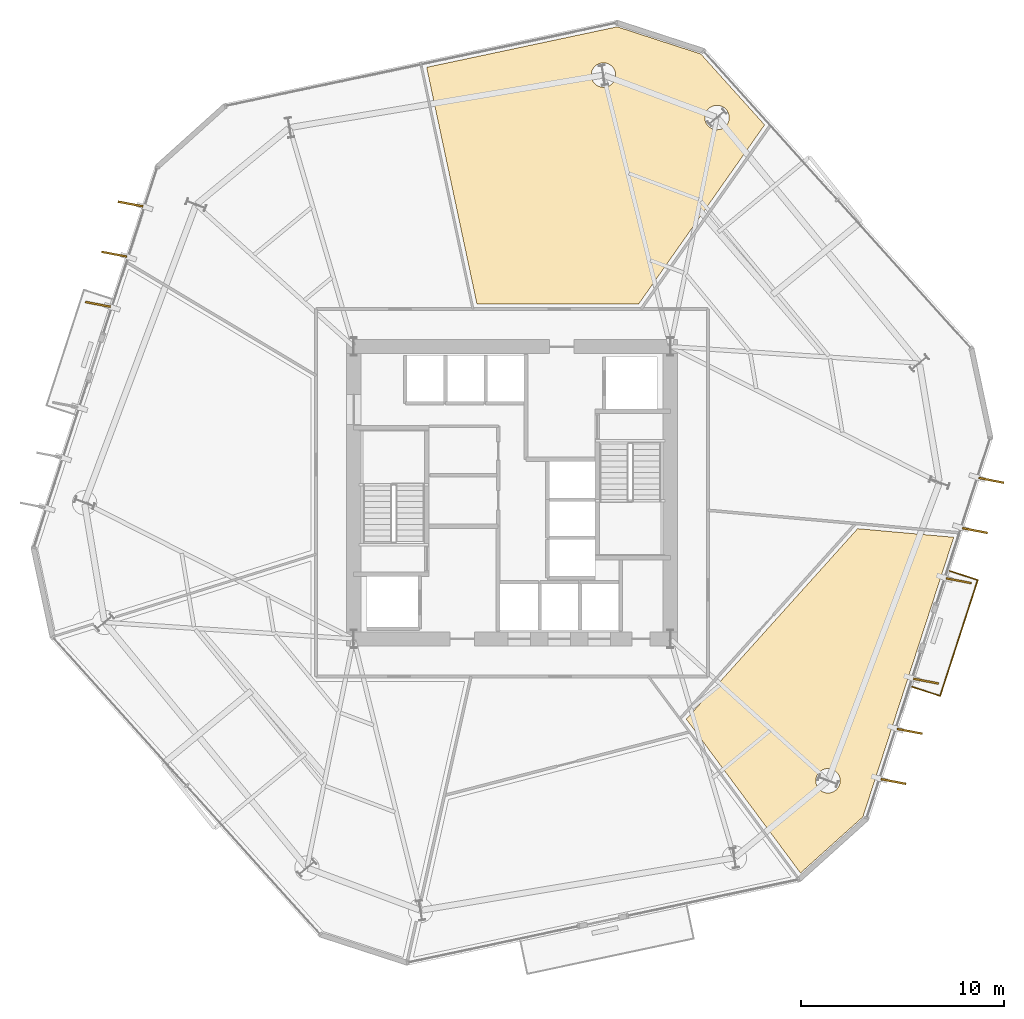
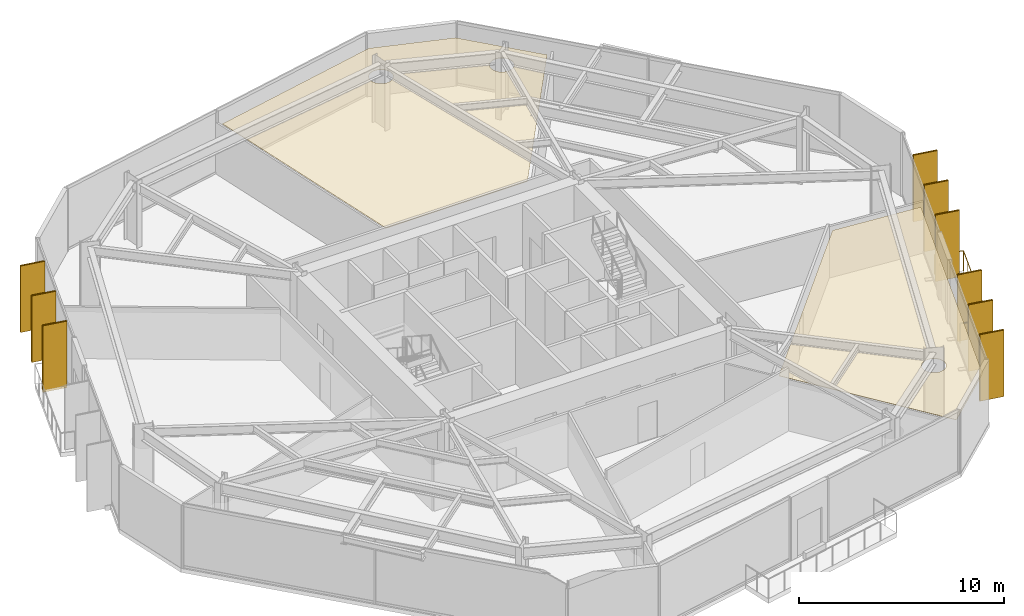
# One storey, part 10 of 10: 11 coverings, 9 shading devices, 1 railing.
"""IFC4 building model written with IfcOpenShell, lengths in metres."""

import ifcopenshell
import ifcopenshell.guid

model = None  # the IFC model being written
_history = None  # IfcOwnerHistory: only IFC2X3 demands one
_inside = {}  # id of a spatial element -> (the spatial element, [elements in it])
_under = {}  # id of a project, library or spatial element -> (it, [spatial elements below it])
_declared = {}  # id of a project -> (the project, [libraries it declares])
_typed = {}  # id of a type object -> (the type object, [elements of that type])
_made_of = {}  # id of a material, layer set ... -> (it, [elements and type objects made of it])


def new_model(schema):
    """Start an empty IFC model of exactly this schema.

    Asked for "IFC4X3", IfcOpenShell would pick the latest addendum, in which some entities
    have other attributes; the version numbers below select the first issue.
    IFC2X3 requires an IfcOwnerHistory on every rooted entity: one is made here for all.
    """
    global model, _history
    if schema == "IFC4X3":
        model = ifcopenshell.file(schema_version=(4, 3, 0, 0))
    else:
        model = ifcopenshell.file(schema=schema)
    _inside.clear()
    _under.clear()
    _declared.clear()
    _typed.clear()
    _made_of.clear()
    _history = None
    if model.schema == "IFC2X3":
        org = make("IfcOrganization", Name="unknown")
        user = make(
            "IfcPersonAndOrganization",
            ThePerson=make("IfcPerson", FamilyName="unknown"),
            TheOrganization=org,
        )
        app = make(
            "IfcApplication",
            ApplicationDeveloper=org,
            Version="unknown",
            ApplicationFullName="unknown",
            ApplicationIdentifier="unknown",
        )
        _history = make(
            "IfcOwnerHistory",
            OwningUser=user,
            OwningApplication=app,
            ChangeAction="ADDED",
            CreationDate=0,
        )
    return model


def make(cls, **values):
    """One entity of the class cls with the attributes given. An attribute that is None is left unset."""
    return model.create_entity(
        cls, **{name: value for name, value in values.items() if value is not None}
    )


def rooted(cls, **values):
    """An entity with a GlobalId (a new one), such as an element, a storey or a relation."""
    return make(cls, GlobalId=ifcopenshell.guid.new(), OwnerHistory=_history, **values)


def si_unit(unit_type, name, prefix=None):
    """IfcSIUnit, for example si_unit("LENGTHUNIT", "METRE", prefix="MILLI")."""
    return make("IfcSIUnit", UnitType=unit_type, Prefix=prefix, Name=name)


def assignment(units):
    """IfcUnitAssignment: the units of a project."""
    return None if units is None else make("IfcUnitAssignment", Units=units)


def point(xyz):
    """IfcCartesianPoint."""
    return None if xyz is None else make("IfcCartesianPoint", Coordinates=xyz)


def direction(xyz):
    """IfcDirection."""
    return None if xyz is None else make("IfcDirection", DirectionRatios=xyz)


def frame(location, z_axis=None, x_axis=None):
    """IfcAxis2Placement3D, a coordinate frame: its origin and axes. An axis left out is left unset."""
    return make(
        "IfcAxis2Placement3D",
        Location=point(location),
        Axis=direction(z_axis),
        RefDirection=direction(x_axis),
    )


def frame_2d(location, x_axis=None):
    """IfcAxis2Placement2D, a coordinate frame in the plane: its origin and x axis."""
    return make(
        "IfcAxis2Placement2D", Location=point(location), RefDirection=direction(x_axis)
    )


def origin():
    """The frame at (0, 0, 0) with its axes left unset."""
    return frame((0.0, 0.0, 0.0))


def origin_2d():
    """The frame at (0, 0) in the plane with its x axis left unset."""
    return frame_2d((0.0, 0.0))


def place(relative_to, where):
    """IfcLocalPlacement: puts the frame where relative to a parent placement (None: the world)."""
    return make(
        "IfcLocalPlacement", PlacementRelTo=relative_to, RelativePlacement=where
    )


def context(
    kind, dimensions, precision=None, world=None, true_north=None, identifier=None
):
    """IfcGeometricRepresentationContext, for example the 3D "Model" context."""
    return make(
        "IfcGeometricRepresentationContext",
        ContextIdentifier=identifier,
        ContextType=kind,
        CoordinateSpaceDimension=dimensions,
        Precision=precision,
        WorldCoordinateSystem=world,
        TrueNorth=true_north,
    )


def subcontext(parent, identifier, kind, view, scale=None):
    """IfcGeometricRepresentationSubContext, for example "Body" below "Model"."""
    return make(
        "IfcGeometricRepresentationSubContext",
        ContextIdentifier=identifier,
        ContextType=kind,
        ParentContext=parent,
        TargetScale=scale,
        TargetView=view,
    )


def project(units=None, contexts=None):
    """IfcProject with its units and contexts."""
    return rooted(
        "IfcProject",
        Name="project",
        RepresentationContexts=contexts,
        UnitsInContext=assignment(units),
    )


def spatial(cls, under=None, at=None, **own):
    """A site, building, storey or space (cls), placed at a placement, below another one or the project."""
    s = rooted(cls, ObjectPlacement=at, **own)
    if under is not None:
        _under.setdefault(under.id(), (under, []))[1].append(s)
    return s


def polyline(points):
    """IfcPolyline through the points."""
    return make("IfcPolyline", Points=[point(p) for p in points])


def profile(cls, at=None, kind="AREA", **sizes):
    """A parametric profile (cls). Its sizes go by their IFC names, for example OverallWidth=200.0."""
    return make(cls, ProfileType=kind, Position=at, **sizes)


def rectangle(**sizes):
    """IfcRectangleProfileDef."""
    return profile("IfcRectangleProfileDef", **sizes)


def circle(**sizes):
    """IfcCircleProfileDef."""
    return profile("IfcCircleProfileDef", **sizes)


def outline(outer, holes=None, kind="AREA"):
    """IfcArbitraryClosedProfileDef: a profile drawn as a closed curve; with holes, ...WithVoids."""
    if holes is None:
        return make("IfcArbitraryClosedProfileDef", ProfileType=kind, OuterCurve=outer)
    return make(
        "IfcArbitraryProfileDefWithVoids",
        ProfileType=kind,
        OuterCurve=outer,
        InnerCurves=holes,
    )


def extrude(swept, where, along, depth):
    """IfcExtrudedAreaSolid: the profile swept, set in the frame where, extruded along a direction by depth."""
    return make(
        "IfcExtrudedAreaSolid",
        SweptArea=swept,
        Position=where,
        ExtrudedDirection=direction(along),
        Depth=depth,
    )


def shape(context_of_items, identifier, shape_type, items):
    """IfcShapeRepresentation: the items that make up one representation, for example the "Body"."""
    return make(
        "IfcShapeRepresentation",
        ContextOfItems=context_of_items,
        RepresentationIdentifier=identifier,
        RepresentationType=shape_type,
        Items=items,
    )


def material(Name=None, Category=None):
    """IfcMaterial."""
    return make("IfcMaterial", Name=Name, Category=Category)


def layer(
    of_material, thickness, ventilated=None, Name=None, Category=None, Priority=None
):
    """IfcMaterialLayer: one layer of a wall or slab, of a material (None: an air gap)."""
    return make(
        "IfcMaterialLayer",
        Material=of_material,
        LayerThickness=thickness,
        IsVentilated=ventilated,
        Name=Name,
        Category=Category,
        Priority=Priority,
    )


def layer_set(layers, Name=None):
    """IfcMaterialLayerSet."""
    return make("IfcMaterialLayerSet", MaterialLayers=layers, LayerSetName=Name)


def made_of(thing, what):
    """Note that an element or type object is made of a material, layer set ...; save() writes the relation."""
    if what is not None:
        _made_of.setdefault(what.id(), (what, []))[1].append(thing)
    return thing


def type_object(cls, material=None, **own):
    """A type object (cls), such as IfcWallType, which elements share."""
    return made_of(rooted(cls, **own), material)


def element(
    cls,
    number,
    at=None,
    inside=None,
    cuts=None,
    type_object=None,
    material=None,
    context=None,
    identifier="Body",
    shape_type=None,
    held_by="IfcProductDefinitionShape",
    body=None,
    shapes=None,
    **own,
):
    """One element of the class cls, such as IfcWall. Its Tag is "e" and its number.

    at: its placement. inside: the storey or other place that contains it. cuts: it is an
    opening in that element (IfcRelVoidsElement). A single representation is given by context,
    identifier, shape_type and body (its items); several are given by shapes. held_by: the class
    of the entity that holds the representations. save() writes the other relations.
    """
    e = rooted(cls, Tag="e%d" % number, ObjectPlacement=at, **own)
    if body is not None:
        shapes = [shape(context, identifier, shape_type, body)]
    if shapes is not None:
        e.Representation = make(held_by, Representations=shapes)
    if inside is not None:
        _inside.setdefault(inside.id(), (inside, []))[1].append(e)
    if cuts is not None:
        rooted(
            "IfcRelVoidsElement", RelatingBuildingElement=cuts, RelatedOpeningElement=e
        )
    if type_object is not None:
        _typed.setdefault(type_object.id(), (type_object, []))[1].append(e)
    return made_of(e, material)


def aggregate(whole, parts):
    """IfcRelAggregates: a whole, such as a stair, and the parts it consists of."""
    return rooted("IfcRelAggregates", RelatingObject=whole, RelatedObjects=parts)


def save(model, path):
    """Write the relations noted so far, then the file.

    IfcRelAggregates (storeys below a building ...), IfcRelContainedInSpatialStructure (elements
    in a storey), IfcRelDefinesByType, IfcRelAssociatesMaterial and IfcRelDeclares: one each for
    every whole, place, type object, material and project.
    """
    for whole, parts in _under.values():
        aggregate(whole, parts)
    for where, things in _inside.values():
        rooted(
            "IfcRelContainedInSpatialStructure",
            RelatedElements=things,
            RelatingStructure=where,
        )
    for kind, things in _typed.values():
        rooted("IfcRelDefinesByType", RelatedObjects=things, RelatingType=kind)
    for what, things in _made_of.values():
        rooted("IfcRelAssociatesMaterial", RelatedObjects=things, RelatingMaterial=what)
    for by, libraries in _declared.values():
        rooted("IfcRelDeclares", RelatingContext=by, RelatedDefinitions=libraries)
    model.write(path)


model = new_model("IFC4")

# Units and contexts
model_context = context("Model", 3, precision=1e-05, world=origin(), true_north=direction((0.0, 1.0)))
body_context = subcontext(model_context, "Body", "Model", "MODEL_VIEW")
ifc_project = project(units=[si_unit("LENGTHUNIT", "METRE"), si_unit("AREAUNIT", "SQUARE_METRE"), si_unit("VOLUMEUNIT", "CUBIC_METRE"), si_unit("PLANEANGLEUNIT", "RADIAN"), si_unit("MASSUNIT", "GRAM", prefix="KILO")], contexts=[model_context])

# Site, building, storey
site_placement = place(None, origin())
site = spatial("IfcSite", under=ifc_project, at=site_placement, CompositionType="ELEMENT")
building_placement = place(site_placement, origin())
building = spatial("IfcBuilding", under=site, at=building_placement, Name="Kranzbogen Civic Tower", CompositionType="ELEMENT")
storey_placement = place(building_placement, frame((0.0, 0.0, 68.0)))
storey = spatial("IfcBuildingStorey", under=building, at=storey_placement, Name="L16", CompositionType="ELEMENT", Elevation=68.0)

# Coverings
ifc_material_1 = material(Name="Pale Anodised Aluminium", Category="aluminium")
ifc_layer_1 = layer(ifc_material_1, 0.02490234375, Name="Pale Anodised Aluminium")
ifc_layer_set_1 = layer_set([ifc_layer_1], Name="Pale Anodised Aluminium")
covering_type_1 = type_object("IfcCoveringType", Name="Anodised Aluminium Vertical Fin Cladding 25 mm", PredefinedType="CLADDING", material=ifc_layer_set_1)
for number, where, z_axis, x_axis, name in (
    (1, (6.2060546875, 39.22509765625, -0.139892578125), (0.0, 0.0, 1.0), (-0.982395011686, 0.186815526695, 0.0), "L16 vertical fin pale-metal cladding F3-1"),
    (2, (5.403076171875, 36.751953125, -0.139892578125), (0.0, 0.0, 1.0), (-0.982395011686, 0.186815526695, 0.0), "L16 vertical fin pale-metal cladding F3-2"),
    (3, (4.59912109375, 34.280029296875, -0.139892578125), (0.0, 0.0, 1.0), (-0.982395011686, 0.186815526695, 0.0), "L16 vertical fin pale-metal cladding F3-3"),
    (4, (43.7939453125, 10.77490234375, -0.139892578125), (0.0, 0.0, 1.0), (0.982395011686, -0.186815526695, 0.0), "L16 vertical fin pale-metal cladding F6-1"),
    (5, (44.596923828125, 13.248046875, -0.139892578125), (0.0, 0.0, 1.0), (0.982395011686, -0.186815526695, 0.0), "L16 vertical fin pale-metal cladding F6-2"),
    (6, (45.40087890625, 15.719970703125, -0.139892578125), (0.0, 0.0, 1.0), (0.982395011686, -0.186815526695, 0.0), "L16 vertical fin pale-metal cladding F6-3"),
    (7, (47.008056640625, 20.666015625, -0.139892578125), (0.0, 0.0, 1.0), (0.982395011686, -0.186815526695, 0.0), "L16 vertical fin pale-metal cladding F6-5"),
    (8, (47.81103515625, 23.138916015625, -0.139892578125), (0.0, 0.0, 1.0), (0.982395011686, -0.186815526695, 0.0), "L16 vertical fin pale-metal cladding F6-6"),
    (9, (48.614990234375, 25.611083984375, -0.139892578125), (0.0, 0.0, 1.0), (0.982395011686, -0.186815526695, 0.0), "L16 vertical fin pale-metal cladding F6-7"),
):
    element("IfcCovering", number, at=place(storey_placement, frame(where, z_axis=z_axis, x_axis=x_axis)), inside=storey, type_object=covering_type_1, Name=name, PredefinedType="CLADDING", context=body_context, shape_type="SweptSolid", body=[
        extrude(rectangle(XDim=1.25, YDim=0.10009765625, at=origin_2d()), origin(), (0.0, 0.0, 1.0), 3.9599609375),
    ])

# Shading devices
ifc_material_2 = material(Name="Anodised Bronze Aluminium", Category="aluminium")
shading_device_type = type_object("IfcShadingDeviceType", Name="Anodised Bronze Vertical Facade Fin 1250x80", PredefinedType="USERDEFINED", material=ifc_material_2)
for number, where, z_axis, x_axis, name in (
    (10, (6.2060546875, 39.22509765625, -0.139892578125), (0.0, 0.0, 1.0), (-0.982395011686, 0.186815526695, 0.0), "L16 vertical exterior shading fin F3-1"),
    (11, (5.403076171875, 36.751953125, -0.139892578125), (0.0, 0.0, 1.0), (-0.982395011686, 0.186815526695, 0.0), "L16 vertical exterior shading fin F3-2"),
    (12, (4.59912109375, 34.280029296875, -0.139892578125), (0.0, 0.0, 1.0), (-0.982395011686, 0.186815526695, 0.0), "L16 vertical exterior shading fin F3-3"),
    (13, (43.7939453125, 10.77490234375, -0.139892578125), (0.0, 0.0, 1.0), (0.982395011686, -0.186815526695, 0.0), "L16 vertical exterior shading fin F6-1"),
    (14, (44.596923828125, 13.248046875, -0.139892578125), (0.0, 0.0, 1.0), (0.982395011686, -0.186815526695, 0.0), "L16 vertical exterior shading fin F6-2"),
    (15, (45.40087890625, 15.719970703125, -0.139892578125), (0.0, 0.0, 1.0), (0.982395011686, -0.186815526695, 0.0), "L16 vertical exterior shading fin F6-3"),
    (16, (47.008056640625, 20.666015625, -0.139892578125), (0.0, 0.0, 1.0), (0.982395011686, -0.186815526695, 0.0), "L16 vertical exterior shading fin F6-5"),
    (17, (47.81103515625, 23.138916015625, -0.139892578125), (0.0, 0.0, 1.0), (0.982395011686, -0.186815526695, 0.0), "L16 vertical exterior shading fin F6-6"),
    (18, (48.614990234375, 25.611083984375, -0.139892578125), (0.0, 0.0, 1.0), (0.982395011686, -0.186815526695, 0.0), "L16 vertical exterior shading fin F6-7"),
):
    element("IfcShadingDevice", number, at=place(storey_placement, frame(where, z_axis=z_axis, x_axis=x_axis)), inside=storey, type_object=shading_device_type, Name=name, ObjectType="FIN", PredefinedType="USERDEFINED", context=body_context, shape_type="SweptSolid", body=[
        extrude(rectangle(XDim=1.25, YDim=0.080078125, at=origin_2d()), origin(), (0.0, 0.0, 1.0), 3.9599609375),
    ])

# Railing
railing_type = type_object("IfcRailingType", Name="Cantilevered Balcony Glass and Bronze Balustrade 1200", PredefinedType="BALUSTRADE", material=ifc_material_2)
railing_placement = place(storey_placement, frame((44.7109375, 15.44091796875, 0.0)))
element("IfcRailing", 19, at=railing_placement, inside=storey, type_object=railing_type, Name="L16 exterior terrace balustrade L16-TB2", PredefinedType="BALUSTRADE", context=body_context, shape_type="SweptSolid", body=[
    extrude(circle(Radius=0.02392578125, at=origin_2d()), frame((0.0, 0.0, 1.17578125), z_axis=(0.951079836914, -0.308945211672, 0.0), x_axis=(0.308945211672, 0.951079836914, 0.0)), (0.0, 0.0, 1.0), 1.4501953125),
    extrude(circle(Radius=0.02392578125, at=origin_2d()), frame((1.379150390625, -0.447998046875, 1.17578125), z_axis=(0.308968313309, 0.951072332355, 0.0), x_axis=(-0.951072332355, 0.308968313309, 0.0)), (0.0, 0.0, 1.0), 6.000732421875),
    extrude(circle(Radius=0.02392578125, at=origin_2d()), frame((3.233154296875, 5.259033203125, 1.17578125), z_axis=(-0.951079836914, 0.308945211672, 0.0), x_axis=(-0.308945211672, -0.951079836914, 0.0)), (0.0, 0.0, 1.0), 1.4501953125),
    extrude(circle(Radius=0.02099609375, at=origin_2d()), origin(), (0.0, 0.0, 1.0), 1.15185546875),
    extrude(circle(Radius=0.02099609375, at=origin_2d()), frame((0.689453125, -0.22412109375, 0.0)), (0.0, 0.0, 1.0), 1.15185546875),
    extrude(circle(Radius=0.02099609375, at=origin_2d()), frame((1.379150390625, -0.447998046875, 0.0)), (0.0, 0.0, 1.0), 1.15185546875),
    extrude(circle(Radius=0.02099609375, at=origin_2d()), frame((1.688232421875, 0.503173828125, 0.0)), (0.0, 0.0, 1.0), 1.15185546875),
    extrude(circle(Radius=0.02099609375, at=origin_2d()), frame((1.9970703125, 1.454345703125, 0.0)), (0.0, 0.0, 1.0), 1.15185546875),
    extrude(circle(Radius=0.02099609375, at=origin_2d()), frame((2.30615234375, 2.405517578125, 0.0)), (0.0, 0.0, 1.0), 1.15185546875),
    extrude(circle(Radius=0.02099609375, at=origin_2d()), frame((2.615234375, 3.356689453125, 0.0)), (0.0, 0.0, 1.0), 1.15185546875),
    extrude(circle(Radius=0.02099609375, at=origin_2d()), frame((2.924072265625, 4.307861328125, 0.0)), (0.0, 0.0, 1.0), 1.15185546875),
    extrude(circle(Radius=0.02099609375, at=origin_2d()), frame((3.233154296875, 5.259033203125, 0.0)), (0.0, 0.0, 1.0), 1.15185546875),
    extrude(circle(Radius=0.02099609375, at=origin_2d()), frame((2.54345703125, 5.48291015625, 0.0)), (0.0, 0.0, 1.0), 1.15185546875),
    extrude(circle(Radius=0.02099609375, at=origin_2d()), frame((1.85400390625, 5.70703125, 0.0)), (0.0, 0.0, 1.0), 1.15185546875),
])

# Coverings
ifc_material_3 = material(Name="Perforated Acoustic Gypsum Ceiling")
ifc_layer_2 = layer(ifc_material_3, 0.02490234375, Name="Perforated Acoustic Gypsum Ceiling")
ifc_layer_set_2 = layer_set([ifc_layer_2], Name="Perforated Acoustic Gypsum Ceiling")
covering_type_2 = type_object("IfcCoveringType", Name="Perforated Acoustic Mineral Ceiling Tile 25 mm", PredefinedType="CEILING", material=ifc_layer_set_2)
covering_1_placement = place(storey_placement, frame((0.0, 0.0, 2.89990234375)))
element("IfcCovering", 20, at=covering_1_placement, inside=storey, type_object=covering_type_2, Name="L16 Ministerial Policy Office acoustic ceiling", PredefinedType="CEILING", context=body_context, shape_type="SweptSolid", body=[
    extrude(outline(polyline([(33.5869140625, 13.843994140625), (42.029052734375, 23.23095703125), (46.762939453125, 22.806884765625), (42.287109375, 9.032958984375), (39.212890625, 6.26611328125), (33.5869140625, 13.843994140625)]), holes=[polyline([(41.123046875, 10.5810546875), (41.097900390625, 10.527099609375), (41.068115234375, 10.47705078125), (41.031982421875, 10.428955078125), (40.992919921875, 10.385009765625), (40.948974609375, 10.345947265625), (40.90087890625, 10.31005859375), (40.85107421875, 10.280029296875), (40.797119140625, 10.2548828125), (40.741943359375, 10.235107421875), (40.68408203125, 10.220947265625), (40.6259765625, 10.2119140625), (40.56689453125, 10.208984375), (40.508056640625, 10.2119140625), (40.449951171875, 10.220947265625), (40.39208984375, 10.235107421875), (40.3369140625, 10.2548828125), (40.282958984375, 10.280029296875), (40.23291015625, 10.31005859375), (40.18505859375, 10.345947265625), (40.14111328125, 10.385009765625), (40.10205078125, 10.428955078125), (40.06591796875, 10.47705078125), (40.035888671875, 10.527099609375), (40.010986328125, 10.5810546875), (39.990966796875, 10.635986328125), (39.97705078125, 10.694091796875), (39.968017578125, 10.751953125), (39.965087890625, 10.81103515625), (39.968017578125, 10.8701171875), (39.97705078125, 10.927978515625), (39.990966796875, 10.986083984375), (40.010986328125, 11.041015625), (40.035888671875, 11.094970703125), (40.06591796875, 11.14501953125), (40.10205078125, 11.193115234375), (40.14111328125, 11.237060546875), (40.18505859375, 11.27587890625), (40.23291015625, 11.31201171875), (40.282958984375, 11.342041015625), (40.3369140625, 11.366943359375), (40.39208984375, 11.386962890625), (40.449951171875, 11.40087890625), (40.508056640625, 11.409912109375), (40.56689453125, 11.4130859375), (40.6259765625, 11.409912109375), (40.68408203125, 11.40087890625), (40.741943359375, 11.386962890625), (40.797119140625, 11.366943359375), (40.85107421875, 11.342041015625), (40.90087890625, 11.31201171875), (40.948974609375, 11.27587890625), (40.992919921875, 11.237060546875), (41.031982421875, 11.193115234375), (41.068115234375, 11.14501953125), (41.097900390625, 11.094970703125), (41.123046875, 11.041015625), (41.14306640625, 10.986083984375), (41.156982421875, 10.927978515625), (41.166015625, 10.8701171875), (41.1689453125, 10.81103515625), (41.166015625, 10.751953125), (41.156982421875, 10.694091796875), (41.14306640625, 10.635986328125), (41.123046875, 10.5810546875)])]), origin(), (0.0, 0.0, 1.0), 0.025146484375),
])
covering_2_placement = place(storey_placement, frame((0.0, 0.0, 2.89990234375)))
element("IfcCovering", 21, at=covering_2_placement, inside=storey, type_object=covering_type_2, Name="L16 Citizen Services Kiosk acoustic ceiling", PredefinedType="CEILING", context=body_context, shape_type="SweptSolid", body=[
    extrude(outline(polyline([(34.298095703125, 46.617919921875), (37.444091796875, 43.1240234375), (31.236083984375, 34.294921875), (23.27490234375, 34.294921875), (20.7958984375, 45.958984375), (30.18408203125, 47.9541015625), (34.298095703125, 46.617919921875)]), holes=[polyline([(35.655029296875, 43.25390625), (35.6298828125, 43.199951171875), (35.60009765625, 43.14990234375), (35.56396484375, 43.10205078125), (35.52490234375, 43.05810546875), (35.48095703125, 43.01904296875), (35.43310546875, 42.98291015625), (35.383056640625, 42.952880859375), (35.3291015625, 42.927978515625), (35.27392578125, 42.907958984375), (35.216064453125, 42.89404296875), (35.157958984375, 42.885009765625), (35.09912109375, 42.882080078125), (35.0400390625, 42.885009765625), (34.98193359375, 42.89404296875), (34.924072265625, 42.907958984375), (34.868896484375, 42.927978515625), (34.81494140625, 42.952880859375), (34.764892578125, 42.98291015625), (34.717041015625, 43.01904296875), (34.673095703125, 43.05810546875), (34.634033203125, 43.10205078125), (34.597900390625, 43.14990234375), (34.568115234375, 43.199951171875), (34.54296875, 43.25390625), (34.52294921875, 43.30908203125), (34.509033203125, 43.366943359375), (34.5, 43.425048828125), (34.4970703125, 43.48388671875), (34.5, 43.54296875), (34.509033203125, 43.60107421875), (34.52294921875, 43.658935546875), (34.54296875, 43.714111328125), (34.568115234375, 43.76806640625), (34.597900390625, 43.818115234375), (34.634033203125, 43.865966796875), (34.673095703125, 43.909912109375), (34.717041015625, 43.948974609375), (34.764892578125, 43.985107421875), (34.81494140625, 44.014892578125), (34.868896484375, 44.0400390625), (34.924072265625, 44.06005859375), (34.98193359375, 44.073974609375), (35.0400390625, 44.0830078125), (35.09912109375, 44.0859375), (35.157958984375, 44.0830078125), (35.216064453125, 44.073974609375), (35.27392578125, 44.06005859375), (35.3291015625, 44.0400390625), (35.383056640625, 44.014892578125), (35.43310546875, 43.985107421875), (35.48095703125, 43.948974609375), (35.52490234375, 43.909912109375), (35.56396484375, 43.865966796875), (35.60009765625, 43.818115234375), (35.6298828125, 43.76806640625), (35.655029296875, 43.714111328125), (35.675048828125, 43.658935546875), (35.68896484375, 43.60107421875), (35.697998046875, 43.54296875), (35.700927734375, 43.48388671875), (35.697998046875, 43.425048828125), (35.68896484375, 43.366943359375), (35.675048828125, 43.30908203125), (35.655029296875, 43.25390625)]), polyline([(30.06103515625, 45.345947265625), (30.035888671875, 45.2919921875), (30.006103515625, 45.241943359375), (29.969970703125, 45.194091796875), (29.930908203125, 45.14990234375), (29.886962890625, 45.111083984375), (29.839111328125, 45.074951171875), (29.7890625, 45.044921875), (29.735107421875, 45.02001953125), (29.679931640625, 45.0), (29.6220703125, 44.986083984375), (29.56396484375, 44.97705078125), (29.5048828125, 44.97412109375), (29.446044921875, 44.97705078125), (29.387939453125, 44.986083984375), (29.330078125, 45.0), (29.27490234375, 45.02001953125), (29.220947265625, 45.044921875), (29.1708984375, 45.074951171875), (29.123046875, 45.111083984375), (29.0791015625, 45.14990234375), (29.0400390625, 45.194091796875), (29.00390625, 45.241943359375), (28.97412109375, 45.2919921875), (28.948974609375, 45.345947265625), (28.928955078125, 45.40087890625), (28.9150390625, 45.458984375), (28.906005859375, 45.51708984375), (28.903076171875, 45.575927734375), (28.906005859375, 45.635009765625), (28.9150390625, 45.693115234375), (28.928955078125, 45.7509765625), (28.948974609375, 45.805908203125), (28.97412109375, 45.860107421875), (29.00390625, 45.909912109375), (29.0400390625, 45.9580078125), (29.0791015625, 46.001953125), (29.123046875, 46.041015625), (29.1708984375, 46.076904296875), (29.220947265625, 46.10693359375), (29.27490234375, 46.132080078125), (29.330078125, 46.152099609375), (29.387939453125, 46.166015625), (29.446044921875, 46.175048828125), (29.5048828125, 46.177978515625), (29.56396484375, 46.175048828125), (29.6220703125, 46.166015625), (29.679931640625, 46.152099609375), (29.735107421875, 46.132080078125), (29.7890625, 46.10693359375), (29.839111328125, 46.076904296875), (29.886962890625, 46.041015625), (29.930908203125, 46.001953125), (29.969970703125, 45.9580078125), (30.006103515625, 45.909912109375), (30.035888671875, 45.860107421875), (30.06103515625, 45.805908203125), (30.0810546875, 45.7509765625), (30.094970703125, 45.693115234375), (30.10400390625, 45.635009765625), (30.10693359375, 45.575927734375), (30.10400390625, 45.51708984375), (30.094970703125, 45.458984375), (30.0810546875, 45.40087890625), (30.06103515625, 45.345947265625)])]), origin(), (0.0, 0.0, 1.0), 0.025146484375),
])

save(model, "model.ifc")
